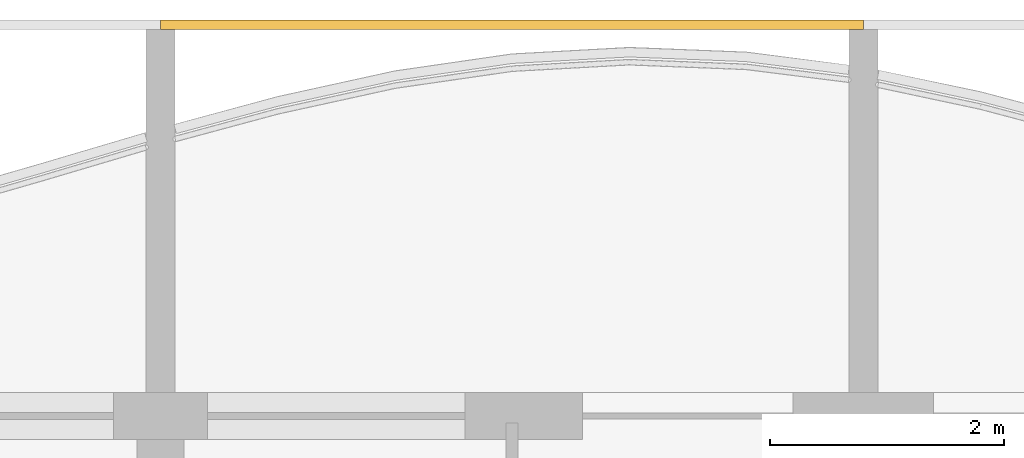
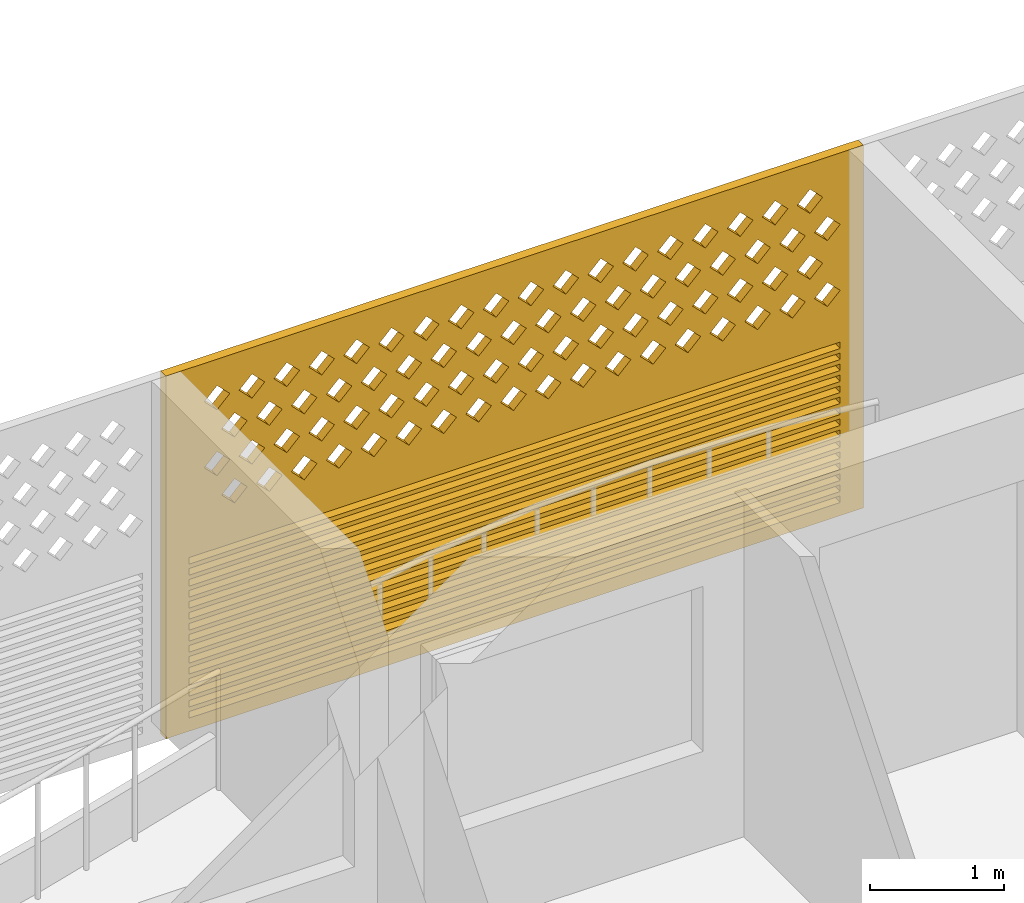
# One storey, part 29 of 44: 1 covering.
"""IFC4 building model written with IfcOpenShell, lengths in metres."""

from ifc_helpers import new_model, si_unit, direction, frame, origin, place, context, subcontext, project, spatial, polyline, outline, extrude, source, transform, mapped, material, material_profile, profile_set, type_object, element, save


model = new_model("IFC4")

# Units and contexts
model_context = context("Model", 3, precision=1e-05, world=origin(), true_north=direction((0.0, 1.0)))
body_context = subcontext(model_context, "Body", "Model", "MODEL_VIEW")
ifc_project = project(units=[si_unit("LENGTHUNIT", "METRE"), si_unit("AREAUNIT", "SQUARE_METRE"), si_unit("VOLUMEUNIT", "CUBIC_METRE"), si_unit("PLANEANGLEUNIT", "RADIAN"), si_unit("MASSUNIT", "GRAM", prefix="KILO")], contexts=[model_context])

# Site, building, storey
site_placement = place(None, origin())
site = spatial("IfcSite", under=ifc_project, at=site_placement, CompositionType="ELEMENT")
building_placement = place(site_placement, origin())
building = spatial("IfcBuilding", under=site, at=building_placement, Name="Poui Terraces", CompositionType="ELEMENT")
storey_placement = place(building_placement, frame((0.0, 0.0, 26.699951171875)))
storey = spatial("IfcBuildingStorey", under=building, at=storey_placement, Name="L06", CompositionType="ELEMENT", Elevation=26.699951171875)

# Covering
ifc_material = material(Name="Terracotta screen", Category="masonry")
ifc_material_profile = material_profile(ifc_material, outline(polyline([(-3.0, -1.64990234375), (3.0, -1.64990234375), (3.0, 1.64990234375), (-3.0, 1.64990234375), (-3.0, -1.64990234375)]), holes=[polyline([(-2.800048828125, 0.39990234375), (-2.68994140625, 0.2900390625), (-2.580078125, 0.39990234375), (-2.68994140625, 0.510009765625), (-2.800048828125, 0.39990234375)]), polyline([(-2.5, 0.39990234375), (-2.389892578125, 0.2900390625), (-2.280029296875, 0.39990234375), (-2.389892578125, 0.510009765625), (-2.5, 0.39990234375)]), polyline([(-2.199951171875, 0.39990234375), (-2.090087890625, 0.2900390625), (-1.97998046875, 0.39990234375), (-2.090087890625, 0.510009765625), (-2.199951171875, 0.39990234375)]), polyline([(-1.89990234375, 0.39990234375), (-1.7900390625, 0.2900390625), (-1.679931640625, 0.39990234375), (-1.7900390625, 0.510009765625), (-1.89990234375, 0.39990234375)]), polyline([(-1.60009765625, 0.39990234375), (-1.489990234375, 0.2900390625), (-1.3798828125, 0.39990234375), (-1.489990234375, 0.510009765625), (-1.60009765625, 0.39990234375)]), polyline([(-1.300048828125, 0.39990234375), (-1.18994140625, 0.2900390625), (-1.080078125, 0.39990234375), (-1.18994140625, 0.510009765625), (-1.300048828125, 0.39990234375)]), polyline([(-1.0, 0.39990234375), (-0.889892578125, 0.2900390625), (-0.780029296875, 0.39990234375), (-0.889892578125, 0.510009765625), (-1.0, 0.39990234375)]), polyline([(-0.699951171875, 0.39990234375), (-0.590087890625, 0.2900390625), (-0.47998046875, 0.39990234375), (-0.590087890625, 0.510009765625), (-0.699951171875, 0.39990234375)]), polyline([(-0.39990234375, 0.39990234375), (-0.2900390625, 0.2900390625), (-0.179931640625, 0.39990234375), (-0.2900390625, 0.510009765625), (-0.39990234375, 0.39990234375)]), polyline([(-0.10009765625, 0.39990234375), (0.010009765625, 0.2900390625), (0.1201171875, 0.39990234375), (0.010009765625, 0.510009765625), (-0.10009765625, 0.39990234375)]), polyline([(0.199951171875, 0.39990234375), (0.31005859375, 0.2900390625), (0.419921875, 0.39990234375), (0.31005859375, 0.510009765625), (0.199951171875, 0.39990234375)]), polyline([(0.5, 0.39990234375), (0.610107421875, 0.2900390625), (0.719970703125, 0.39990234375), (0.610107421875, 0.510009765625), (0.5, 0.39990234375)]), polyline([(0.800048828125, 0.39990234375), (0.909912109375, 0.2900390625), (1.02001953125, 0.39990234375), (0.909912109375, 0.510009765625), (0.800048828125, 0.39990234375)]), polyline([(1.10009765625, 0.39990234375), (1.2099609375, 0.2900390625), (1.320068359375, 0.39990234375), (1.2099609375, 0.510009765625), (1.10009765625, 0.39990234375)]), polyline([(1.39990234375, 0.39990234375), (1.510009765625, 0.2900390625), (1.6201171875, 0.39990234375), (1.510009765625, 0.510009765625), (1.39990234375, 0.39990234375)]), polyline([(1.699951171875, 0.39990234375), (1.81005859375, 0.2900390625), (1.919921875, 0.39990234375), (1.81005859375, 0.510009765625), (1.699951171875, 0.39990234375)]), polyline([(2.0, 0.39990234375), (2.110107421875, 0.2900390625), (2.219970703125, 0.39990234375), (2.110107421875, 0.510009765625), (2.0, 0.39990234375)]), polyline([(2.300048828125, 0.39990234375), (2.409912109375, 0.2900390625), (2.52001953125, 0.39990234375), (2.409912109375, 0.510009765625), (2.300048828125, 0.39990234375)]), polyline([(-2.64990234375, 0.699951171875), (-2.5400390625, 0.590087890625), (-2.429931640625, 0.699951171875), (-2.5400390625, 0.81005859375), (-2.64990234375, 0.699951171875)]), polyline([(-2.35009765625, 0.699951171875), (-2.239990234375, 0.590087890625), (-2.1298828125, 0.699951171875), (-2.239990234375, 0.81005859375), (-2.35009765625, 0.699951171875)]), polyline([(-2.050048828125, 0.699951171875), (-1.93994140625, 0.590087890625), (-1.830078125, 0.699951171875), (-1.93994140625, 0.81005859375), (-2.050048828125, 0.699951171875)]), polyline([(-1.75, 0.699951171875), (-1.639892578125, 0.590087890625), (-1.530029296875, 0.699951171875), (-1.639892578125, 0.81005859375), (-1.75, 0.699951171875)]), polyline([(-1.449951171875, 0.699951171875), (-1.340087890625, 0.590087890625), (-1.22998046875, 0.699951171875), (-1.340087890625, 0.81005859375), (-1.449951171875, 0.699951171875)]), polyline([(-1.14990234375, 0.699951171875), (-1.0400390625, 0.590087890625), (-0.929931640625, 0.699951171875), (-1.0400390625, 0.81005859375), (-1.14990234375, 0.699951171875)]), polyline([(-0.85009765625, 0.699951171875), (-0.739990234375, 0.590087890625), (-0.6298828125, 0.699951171875), (-0.739990234375, 0.81005859375), (-0.85009765625, 0.699951171875)]), polyline([(-0.550048828125, 0.699951171875), (-0.43994140625, 0.590087890625), (-0.330078125, 0.699951171875), (-0.43994140625, 0.81005859375), (-0.550048828125, 0.699951171875)]), polyline([(-0.25, 0.699951171875), (-0.139892578125, 0.590087890625), (-0.030029296875, 0.699951171875), (-0.139892578125, 0.81005859375), (-0.25, 0.699951171875)]), polyline([(0.050048828125, 0.699951171875), (0.159912109375, 0.590087890625), (0.27001953125, 0.699951171875), (0.159912109375, 0.81005859375), (0.050048828125, 0.699951171875)]), polyline([(0.35009765625, 0.699951171875), (0.4599609375, 0.590087890625), (0.570068359375, 0.699951171875), (0.4599609375, 0.81005859375), (0.35009765625, 0.699951171875)]), polyline([(0.64990234375, 0.699951171875), (0.760009765625, 0.590087890625), (0.8701171875, 0.699951171875), (0.760009765625, 0.81005859375), (0.64990234375, 0.699951171875)]), polyline([(0.949951171875, 0.699951171875), (1.06005859375, 0.590087890625), (1.169921875, 0.699951171875), (1.06005859375, 0.81005859375), (0.949951171875, 0.699951171875)]), polyline([(1.25, 0.699951171875), (1.360107421875, 0.590087890625), (1.469970703125, 0.699951171875), (1.360107421875, 0.81005859375), (1.25, 0.699951171875)]), polyline([(1.550048828125, 0.699951171875), (1.659912109375, 0.590087890625), (1.77001953125, 0.699951171875), (1.659912109375, 0.81005859375), (1.550048828125, 0.699951171875)]), polyline([(1.85009765625, 0.699951171875), (1.9599609375, 0.590087890625), (2.070068359375, 0.699951171875), (1.9599609375, 0.81005859375), (1.85009765625, 0.699951171875)]), polyline([(2.14990234375, 0.699951171875), (2.260009765625, 0.590087890625), (2.3701171875, 0.699951171875), (2.260009765625, 0.81005859375), (2.14990234375, 0.699951171875)]), polyline([(2.449951171875, 0.699951171875), (2.56005859375, 0.590087890625), (2.669921875, 0.699951171875), (2.56005859375, 0.81005859375), (2.449951171875, 0.699951171875)]), polyline([(-2.800048828125, 1.0), (-2.68994140625, 0.889892578125), (-2.580078125, 1.0), (-2.68994140625, 1.110107421875), (-2.800048828125, 1.0)]), polyline([(-2.5, 1.0), (-2.389892578125, 0.889892578125), (-2.280029296875, 1.0), (-2.389892578125, 1.110107421875), (-2.5, 1.0)]), polyline([(-2.199951171875, 1.0), (-2.090087890625, 0.889892578125), (-1.97998046875, 1.0), (-2.090087890625, 1.110107421875), (-2.199951171875, 1.0)]), polyline([(-1.89990234375, 1.0), (-1.7900390625, 0.889892578125), (-1.679931640625, 1.0), (-1.7900390625, 1.110107421875), (-1.89990234375, 1.0)]), polyline([(-1.60009765625, 1.0), (-1.489990234375, 0.889892578125), (-1.3798828125, 1.0), (-1.489990234375, 1.110107421875), (-1.60009765625, 1.0)]), polyline([(-1.300048828125, 1.0), (-1.18994140625, 0.889892578125), (-1.080078125, 1.0), (-1.18994140625, 1.110107421875), (-1.300048828125, 1.0)]), polyline([(-1.0, 1.0), (-0.889892578125, 0.889892578125), (-0.780029296875, 1.0), (-0.889892578125, 1.110107421875), (-1.0, 1.0)]), polyline([(-0.699951171875, 1.0), (-0.590087890625, 0.889892578125), (-0.47998046875, 1.0), (-0.590087890625, 1.110107421875), (-0.699951171875, 1.0)]), polyline([(-0.39990234375, 1.0), (-0.2900390625, 0.889892578125), (-0.179931640625, 1.0), (-0.2900390625, 1.110107421875), (-0.39990234375, 1.0)]), polyline([(-0.10009765625, 1.0), (0.010009765625, 0.889892578125), (0.1201171875, 1.0), (0.010009765625, 1.110107421875), (-0.10009765625, 1.0)]), polyline([(0.199951171875, 1.0), (0.31005859375, 0.889892578125), (0.419921875, 1.0), (0.31005859375, 1.110107421875), (0.199951171875, 1.0)]), polyline([(0.5, 1.0), (0.610107421875, 0.889892578125), (0.719970703125, 1.0), (0.610107421875, 1.110107421875), (0.5, 1.0)]), polyline([(0.800048828125, 1.0), (0.909912109375, 0.889892578125), (1.02001953125, 1.0), (0.909912109375, 1.110107421875), (0.800048828125, 1.0)]), polyline([(1.10009765625, 1.0), (1.2099609375, 0.889892578125), (1.320068359375, 1.0), (1.2099609375, 1.110107421875), (1.10009765625, 1.0)]), polyline([(1.39990234375, 1.0), (1.510009765625, 0.889892578125), (1.6201171875, 1.0), (1.510009765625, 1.110107421875), (1.39990234375, 1.0)]), polyline([(1.699951171875, 1.0), (1.81005859375, 0.889892578125), (1.919921875, 1.0), (1.81005859375, 1.110107421875), (1.699951171875, 1.0)]), polyline([(2.0, 1.0), (2.110107421875, 0.889892578125), (2.219970703125, 1.0), (2.110107421875, 1.110107421875), (2.0, 1.0)]), polyline([(2.300048828125, 1.0), (2.409912109375, 0.889892578125), (2.52001953125, 1.0), (2.409912109375, 1.110107421875), (2.300048828125, 1.0)]), polyline([(-2.64990234375, 1.300048828125), (-2.5400390625, 1.18994140625), (-2.429931640625, 1.300048828125), (-2.5400390625, 1.409912109375), (-2.64990234375, 1.300048828125)]), polyline([(-2.35009765625, 1.300048828125), (-2.239990234375, 1.18994140625), (-2.1298828125, 1.300048828125), (-2.239990234375, 1.409912109375), (-2.35009765625, 1.300048828125)]), polyline([(-2.050048828125, 1.300048828125), (-1.93994140625, 1.18994140625), (-1.830078125, 1.300048828125), (-1.93994140625, 1.409912109375), (-2.050048828125, 1.300048828125)]), polyline([(-1.75, 1.300048828125), (-1.639892578125, 1.18994140625), (-1.530029296875, 1.300048828125), (-1.639892578125, 1.409912109375), (-1.75, 1.300048828125)]), polyline([(-1.449951171875, 1.300048828125), (-1.340087890625, 1.18994140625), (-1.22998046875, 1.300048828125), (-1.340087890625, 1.409912109375), (-1.449951171875, 1.300048828125)]), polyline([(-1.14990234375, 1.300048828125), (-1.0400390625, 1.18994140625), (-0.929931640625, 1.300048828125), (-1.0400390625, 1.409912109375), (-1.14990234375, 1.300048828125)]), polyline([(-0.85009765625, 1.300048828125), (-0.739990234375, 1.18994140625), (-0.6298828125, 1.300048828125), (-0.739990234375, 1.409912109375), (-0.85009765625, 1.300048828125)]), polyline([(-0.550048828125, 1.300048828125), (-0.43994140625, 1.18994140625), (-0.330078125, 1.300048828125), (-0.43994140625, 1.409912109375), (-0.550048828125, 1.300048828125)]), polyline([(-0.25, 1.300048828125), (-0.139892578125, 1.18994140625), (-0.030029296875, 1.300048828125), (-0.139892578125, 1.409912109375), (-0.25, 1.300048828125)]), polyline([(0.050048828125, 1.300048828125), (0.159912109375, 1.18994140625), (0.27001953125, 1.300048828125), (0.159912109375, 1.409912109375), (0.050048828125, 1.300048828125)]), polyline([(0.35009765625, 1.300048828125), (0.4599609375, 1.18994140625), (0.570068359375, 1.300048828125), (0.4599609375, 1.409912109375), (0.35009765625, 1.300048828125)]), polyline([(0.64990234375, 1.300048828125), (0.760009765625, 1.18994140625), (0.8701171875, 1.300048828125), (0.760009765625, 1.409912109375), (0.64990234375, 1.300048828125)]), polyline([(0.949951171875, 1.300048828125), (1.06005859375, 1.18994140625), (1.169921875, 1.300048828125), (1.06005859375, 1.409912109375), (0.949951171875, 1.300048828125)]), polyline([(1.25, 1.300048828125), (1.360107421875, 1.18994140625), (1.469970703125, 1.300048828125), (1.360107421875, 1.409912109375), (1.25, 1.300048828125)]), polyline([(1.550048828125, 1.300048828125), (1.659912109375, 1.18994140625), (1.77001953125, 1.300048828125), (1.659912109375, 1.409912109375), (1.550048828125, 1.300048828125)]), polyline([(1.85009765625, 1.300048828125), (1.9599609375, 1.18994140625), (2.070068359375, 1.300048828125), (1.9599609375, 1.409912109375), (1.85009765625, 1.300048828125)]), polyline([(2.14990234375, 1.300048828125), (2.260009765625, 1.18994140625), (2.3701171875, 1.300048828125), (2.260009765625, 1.409912109375), (2.14990234375, 1.300048828125)]), polyline([(2.449951171875, 1.300048828125), (2.56005859375, 1.18994140625), (2.669921875, 1.300048828125), (2.56005859375, 1.409912109375), (2.449951171875, 1.300048828125)]), polyline([(-2.800048828125, -1.530029296875), (2.800048828125, -1.530029296875), (2.800048828125, -1.469970703125), (-2.800048828125, -1.469970703125), (-2.800048828125, -1.530029296875)]), polyline([(-2.800048828125, -1.429931640625), (2.800048828125, -1.429931640625), (2.800048828125, -1.3701171875), (-2.800048828125, -1.3701171875), (-2.800048828125, -1.429931640625)]), polyline([(-2.800048828125, -1.330078125), (2.800048828125, -1.330078125), (2.800048828125, -1.27001953125), (-2.800048828125, -1.27001953125), (-2.800048828125, -1.330078125)]), polyline([(-2.800048828125, -1.22998046875), (2.800048828125, -1.22998046875), (2.800048828125, -1.169921875), (-2.800048828125, -1.169921875), (-2.800048828125, -1.22998046875)]), polyline([(-2.800048828125, -1.1298828125), (2.800048828125, -1.1298828125), (2.800048828125, -1.070068359375), (-2.800048828125, -1.070068359375), (-2.800048828125, -1.1298828125)]), polyline([(-2.800048828125, -1.030029296875), (2.800048828125, -1.030029296875), (2.800048828125, -0.969970703125), (-2.800048828125, -0.969970703125), (-2.800048828125, -1.030029296875)]), polyline([(-2.800048828125, -0.929931640625), (2.800048828125, -0.929931640625), (2.800048828125, -0.8701171875), (-2.800048828125, -0.8701171875), (-2.800048828125, -0.929931640625)]), polyline([(-2.800048828125, -0.830078125), (2.800048828125, -0.830078125), (2.800048828125, -0.77001953125), (-2.800048828125, -0.77001953125), (-2.800048828125, -0.830078125)]), polyline([(-2.800048828125, -0.72998046875), (2.800048828125, -0.72998046875), (2.800048828125, -0.669921875), (-2.800048828125, -0.669921875), (-2.800048828125, -0.72998046875)]), polyline([(-2.800048828125, -0.6298828125), (2.800048828125, -0.6298828125), (2.800048828125, -0.570068359375), (-2.800048828125, -0.570068359375), (-2.800048828125, -0.6298828125)]), polyline([(-2.800048828125, -0.530029296875), (2.800048828125, -0.530029296875), (2.800048828125, -0.469970703125), (-2.800048828125, -0.469970703125), (-2.800048828125, -0.530029296875)]), polyline([(-2.800048828125, -0.429931640625), (2.800048828125, -0.429931640625), (2.800048828125, -0.3701171875), (-2.800048828125, -0.3701171875), (-2.800048828125, -0.429931640625)]), polyline([(-2.800048828125, -0.330078125), (2.800048828125, -0.330078125), (2.800048828125, -0.27001953125), (-2.800048828125, -0.27001953125), (-2.800048828125, -0.330078125)]), polyline([(-2.800048828125, -0.22998046875), (2.800048828125, -0.22998046875), (2.800048828125, -0.169921875), (-2.800048828125, -0.169921875), (-2.800048828125, -0.22998046875)]), polyline([(-2.800048828125, -0.1298828125), (2.800048828125, -0.1298828125), (2.800048828125, -0.070068359375), (-2.800048828125, -0.070068359375), (-2.800048828125, -0.1298828125)])]), Name="TERRACOTTA SCREEN AND JALOUSIE LOUVRE 6000X3300")
ifc_profile_set = profile_set([ifc_material_profile], Name="Terracotta screen")
covering_type = type_object("IfcCoveringType", Name="TERRACOTTA SCREEN AND JALOUSIE LOUVRE 6000X3300", PredefinedType="CLADDING", material=ifc_profile_set)
shared_shape = source(origin(), body_context, "Body", "SweptSolid", [
    extrude(outline(polyline([(-3.0, -1.64990234375), (3.0, -1.64990234375), (3.0, 1.64990234375), (-3.0, 1.64990234375), (-3.0, -1.64990234375)]), holes=[polyline([(-2.800048828125, 0.39990234375), (-2.68994140625, 0.2900390625), (-2.580078125, 0.39990234375), (-2.68994140625, 0.510009765625), (-2.800048828125, 0.39990234375)]), polyline([(-2.5, 0.39990234375), (-2.389892578125, 0.2900390625), (-2.280029296875, 0.39990234375), (-2.389892578125, 0.510009765625), (-2.5, 0.39990234375)]), polyline([(-2.199951171875, 0.39990234375), (-2.090087890625, 0.2900390625), (-1.97998046875, 0.39990234375), (-2.090087890625, 0.510009765625), (-2.199951171875, 0.39990234375)]), polyline([(-1.89990234375, 0.39990234375), (-1.7900390625, 0.2900390625), (-1.679931640625, 0.39990234375), (-1.7900390625, 0.510009765625), (-1.89990234375, 0.39990234375)]), polyline([(-1.60009765625, 0.39990234375), (-1.489990234375, 0.2900390625), (-1.3798828125, 0.39990234375), (-1.489990234375, 0.510009765625), (-1.60009765625, 0.39990234375)]), polyline([(-1.300048828125, 0.39990234375), (-1.18994140625, 0.2900390625), (-1.080078125, 0.39990234375), (-1.18994140625, 0.510009765625), (-1.300048828125, 0.39990234375)]), polyline([(-1.0, 0.39990234375), (-0.889892578125, 0.2900390625), (-0.780029296875, 0.39990234375), (-0.889892578125, 0.510009765625), (-1.0, 0.39990234375)]), polyline([(-0.699951171875, 0.39990234375), (-0.590087890625, 0.2900390625), (-0.47998046875, 0.39990234375), (-0.590087890625, 0.510009765625), (-0.699951171875, 0.39990234375)]), polyline([(-0.39990234375, 0.39990234375), (-0.2900390625, 0.2900390625), (-0.179931640625, 0.39990234375), (-0.2900390625, 0.510009765625), (-0.39990234375, 0.39990234375)]), polyline([(-0.10009765625, 0.39990234375), (0.010009765625, 0.2900390625), (0.1201171875, 0.39990234375), (0.010009765625, 0.510009765625), (-0.10009765625, 0.39990234375)]), polyline([(0.199951171875, 0.39990234375), (0.31005859375, 0.2900390625), (0.419921875, 0.39990234375), (0.31005859375, 0.510009765625), (0.199951171875, 0.39990234375)]), polyline([(0.5, 0.39990234375), (0.610107421875, 0.2900390625), (0.719970703125, 0.39990234375), (0.610107421875, 0.510009765625), (0.5, 0.39990234375)]), polyline([(0.800048828125, 0.39990234375), (0.909912109375, 0.2900390625), (1.02001953125, 0.39990234375), (0.909912109375, 0.510009765625), (0.800048828125, 0.39990234375)]), polyline([(1.10009765625, 0.39990234375), (1.2099609375, 0.2900390625), (1.320068359375, 0.39990234375), (1.2099609375, 0.510009765625), (1.10009765625, 0.39990234375)]), polyline([(1.39990234375, 0.39990234375), (1.510009765625, 0.2900390625), (1.6201171875, 0.39990234375), (1.510009765625, 0.510009765625), (1.39990234375, 0.39990234375)]), polyline([(1.699951171875, 0.39990234375), (1.81005859375, 0.2900390625), (1.919921875, 0.39990234375), (1.81005859375, 0.510009765625), (1.699951171875, 0.39990234375)]), polyline([(2.0, 0.39990234375), (2.110107421875, 0.2900390625), (2.219970703125, 0.39990234375), (2.110107421875, 0.510009765625), (2.0, 0.39990234375)]), polyline([(2.300048828125, 0.39990234375), (2.409912109375, 0.2900390625), (2.52001953125, 0.39990234375), (2.409912109375, 0.510009765625), (2.300048828125, 0.39990234375)]), polyline([(-2.64990234375, 0.699951171875), (-2.5400390625, 0.590087890625), (-2.429931640625, 0.699951171875), (-2.5400390625, 0.81005859375), (-2.64990234375, 0.699951171875)]), polyline([(-2.35009765625, 0.699951171875), (-2.239990234375, 0.590087890625), (-2.1298828125, 0.699951171875), (-2.239990234375, 0.81005859375), (-2.35009765625, 0.699951171875)]), polyline([(-2.050048828125, 0.699951171875), (-1.93994140625, 0.590087890625), (-1.830078125, 0.699951171875), (-1.93994140625, 0.81005859375), (-2.050048828125, 0.699951171875)]), polyline([(-1.75, 0.699951171875), (-1.639892578125, 0.590087890625), (-1.530029296875, 0.699951171875), (-1.639892578125, 0.81005859375), (-1.75, 0.699951171875)]), polyline([(-1.449951171875, 0.699951171875), (-1.340087890625, 0.590087890625), (-1.22998046875, 0.699951171875), (-1.340087890625, 0.81005859375), (-1.449951171875, 0.699951171875)]), polyline([(-1.14990234375, 0.699951171875), (-1.0400390625, 0.590087890625), (-0.929931640625, 0.699951171875), (-1.0400390625, 0.81005859375), (-1.14990234375, 0.699951171875)]), polyline([(-0.85009765625, 0.699951171875), (-0.739990234375, 0.590087890625), (-0.6298828125, 0.699951171875), (-0.739990234375, 0.81005859375), (-0.85009765625, 0.699951171875)]), polyline([(-0.550048828125, 0.699951171875), (-0.43994140625, 0.590087890625), (-0.330078125, 0.699951171875), (-0.43994140625, 0.81005859375), (-0.550048828125, 0.699951171875)]), polyline([(-0.25, 0.699951171875), (-0.139892578125, 0.590087890625), (-0.030029296875, 0.699951171875), (-0.139892578125, 0.81005859375), (-0.25, 0.699951171875)]), polyline([(0.050048828125, 0.699951171875), (0.159912109375, 0.590087890625), (0.27001953125, 0.699951171875), (0.159912109375, 0.81005859375), (0.050048828125, 0.699951171875)]), polyline([(0.35009765625, 0.699951171875), (0.4599609375, 0.590087890625), (0.570068359375, 0.699951171875), (0.4599609375, 0.81005859375), (0.35009765625, 0.699951171875)]), polyline([(0.64990234375, 0.699951171875), (0.760009765625, 0.590087890625), (0.8701171875, 0.699951171875), (0.760009765625, 0.81005859375), (0.64990234375, 0.699951171875)]), polyline([(0.949951171875, 0.699951171875), (1.06005859375, 0.590087890625), (1.169921875, 0.699951171875), (1.06005859375, 0.81005859375), (0.949951171875, 0.699951171875)]), polyline([(1.25, 0.699951171875), (1.360107421875, 0.590087890625), (1.469970703125, 0.699951171875), (1.360107421875, 0.81005859375), (1.25, 0.699951171875)]), polyline([(1.550048828125, 0.699951171875), (1.659912109375, 0.590087890625), (1.77001953125, 0.699951171875), (1.659912109375, 0.81005859375), (1.550048828125, 0.699951171875)]), polyline([(1.85009765625, 0.699951171875), (1.9599609375, 0.590087890625), (2.070068359375, 0.699951171875), (1.9599609375, 0.81005859375), (1.85009765625, 0.699951171875)]), polyline([(2.14990234375, 0.699951171875), (2.260009765625, 0.590087890625), (2.3701171875, 0.699951171875), (2.260009765625, 0.81005859375), (2.14990234375, 0.699951171875)]), polyline([(2.449951171875, 0.699951171875), (2.56005859375, 0.590087890625), (2.669921875, 0.699951171875), (2.56005859375, 0.81005859375), (2.449951171875, 0.699951171875)]), polyline([(-2.800048828125, 1.0), (-2.68994140625, 0.889892578125), (-2.580078125, 1.0), (-2.68994140625, 1.110107421875), (-2.800048828125, 1.0)]), polyline([(-2.5, 1.0), (-2.389892578125, 0.889892578125), (-2.280029296875, 1.0), (-2.389892578125, 1.110107421875), (-2.5, 1.0)]), polyline([(-2.199951171875, 1.0), (-2.090087890625, 0.889892578125), (-1.97998046875, 1.0), (-2.090087890625, 1.110107421875), (-2.199951171875, 1.0)]), polyline([(-1.89990234375, 1.0), (-1.7900390625, 0.889892578125), (-1.679931640625, 1.0), (-1.7900390625, 1.110107421875), (-1.89990234375, 1.0)]), polyline([(-1.60009765625, 1.0), (-1.489990234375, 0.889892578125), (-1.3798828125, 1.0), (-1.489990234375, 1.110107421875), (-1.60009765625, 1.0)]), polyline([(-1.300048828125, 1.0), (-1.18994140625, 0.889892578125), (-1.080078125, 1.0), (-1.18994140625, 1.110107421875), (-1.300048828125, 1.0)]), polyline([(-1.0, 1.0), (-0.889892578125, 0.889892578125), (-0.780029296875, 1.0), (-0.889892578125, 1.110107421875), (-1.0, 1.0)]), polyline([(-0.699951171875, 1.0), (-0.590087890625, 0.889892578125), (-0.47998046875, 1.0), (-0.590087890625, 1.110107421875), (-0.699951171875, 1.0)]), polyline([(-0.39990234375, 1.0), (-0.2900390625, 0.889892578125), (-0.179931640625, 1.0), (-0.2900390625, 1.110107421875), (-0.39990234375, 1.0)]), polyline([(-0.10009765625, 1.0), (0.010009765625, 0.889892578125), (0.1201171875, 1.0), (0.010009765625, 1.110107421875), (-0.10009765625, 1.0)]), polyline([(0.199951171875, 1.0), (0.31005859375, 0.889892578125), (0.419921875, 1.0), (0.31005859375, 1.110107421875), (0.199951171875, 1.0)]), polyline([(0.5, 1.0), (0.610107421875, 0.889892578125), (0.719970703125, 1.0), (0.610107421875, 1.110107421875), (0.5, 1.0)]), polyline([(0.800048828125, 1.0), (0.909912109375, 0.889892578125), (1.02001953125, 1.0), (0.909912109375, 1.110107421875), (0.800048828125, 1.0)]), polyline([(1.10009765625, 1.0), (1.2099609375, 0.889892578125), (1.320068359375, 1.0), (1.2099609375, 1.110107421875), (1.10009765625, 1.0)]), polyline([(1.39990234375, 1.0), (1.510009765625, 0.889892578125), (1.6201171875, 1.0), (1.510009765625, 1.110107421875), (1.39990234375, 1.0)]), polyline([(1.699951171875, 1.0), (1.81005859375, 0.889892578125), (1.919921875, 1.0), (1.81005859375, 1.110107421875), (1.699951171875, 1.0)]), polyline([(2.0, 1.0), (2.110107421875, 0.889892578125), (2.219970703125, 1.0), (2.110107421875, 1.110107421875), (2.0, 1.0)]), polyline([(2.300048828125, 1.0), (2.409912109375, 0.889892578125), (2.52001953125, 1.0), (2.409912109375, 1.110107421875), (2.300048828125, 1.0)]), polyline([(-2.64990234375, 1.300048828125), (-2.5400390625, 1.18994140625), (-2.429931640625, 1.300048828125), (-2.5400390625, 1.409912109375), (-2.64990234375, 1.300048828125)]), polyline([(-2.35009765625, 1.300048828125), (-2.239990234375, 1.18994140625), (-2.1298828125, 1.300048828125), (-2.239990234375, 1.409912109375), (-2.35009765625, 1.300048828125)]), polyline([(-2.050048828125, 1.300048828125), (-1.93994140625, 1.18994140625), (-1.830078125, 1.300048828125), (-1.93994140625, 1.409912109375), (-2.050048828125, 1.300048828125)]), polyline([(-1.75, 1.300048828125), (-1.639892578125, 1.18994140625), (-1.530029296875, 1.300048828125), (-1.639892578125, 1.409912109375), (-1.75, 1.300048828125)]), polyline([(-1.449951171875, 1.300048828125), (-1.340087890625, 1.18994140625), (-1.22998046875, 1.300048828125), (-1.340087890625, 1.409912109375), (-1.449951171875, 1.300048828125)]), polyline([(-1.14990234375, 1.300048828125), (-1.0400390625, 1.18994140625), (-0.929931640625, 1.300048828125), (-1.0400390625, 1.409912109375), (-1.14990234375, 1.300048828125)]), polyline([(-0.85009765625, 1.300048828125), (-0.739990234375, 1.18994140625), (-0.6298828125, 1.300048828125), (-0.739990234375, 1.409912109375), (-0.85009765625, 1.300048828125)]), polyline([(-0.550048828125, 1.300048828125), (-0.43994140625, 1.18994140625), (-0.330078125, 1.300048828125), (-0.43994140625, 1.409912109375), (-0.550048828125, 1.300048828125)]), polyline([(-0.25, 1.300048828125), (-0.139892578125, 1.18994140625), (-0.030029296875, 1.300048828125), (-0.139892578125, 1.409912109375), (-0.25, 1.300048828125)]), polyline([(0.050048828125, 1.300048828125), (0.159912109375, 1.18994140625), (0.27001953125, 1.300048828125), (0.159912109375, 1.409912109375), (0.050048828125, 1.300048828125)]), polyline([(0.35009765625, 1.300048828125), (0.4599609375, 1.18994140625), (0.570068359375, 1.300048828125), (0.4599609375, 1.409912109375), (0.35009765625, 1.300048828125)]), polyline([(0.64990234375, 1.300048828125), (0.760009765625, 1.18994140625), (0.8701171875, 1.300048828125), (0.760009765625, 1.409912109375), (0.64990234375, 1.300048828125)]), polyline([(0.949951171875, 1.300048828125), (1.06005859375, 1.18994140625), (1.169921875, 1.300048828125), (1.06005859375, 1.409912109375), (0.949951171875, 1.300048828125)]), polyline([(1.25, 1.300048828125), (1.360107421875, 1.18994140625), (1.469970703125, 1.300048828125), (1.360107421875, 1.409912109375), (1.25, 1.300048828125)]), polyline([(1.550048828125, 1.300048828125), (1.659912109375, 1.18994140625), (1.77001953125, 1.300048828125), (1.659912109375, 1.409912109375), (1.550048828125, 1.300048828125)]), polyline([(1.85009765625, 1.300048828125), (1.9599609375, 1.18994140625), (2.070068359375, 1.300048828125), (1.9599609375, 1.409912109375), (1.85009765625, 1.300048828125)]), polyline([(2.14990234375, 1.300048828125), (2.260009765625, 1.18994140625), (2.3701171875, 1.300048828125), (2.260009765625, 1.409912109375), (2.14990234375, 1.300048828125)]), polyline([(2.449951171875, 1.300048828125), (2.56005859375, 1.18994140625), (2.669921875, 1.300048828125), (2.56005859375, 1.409912109375), (2.449951171875, 1.300048828125)]), polyline([(-2.800048828125, -1.530029296875), (2.800048828125, -1.530029296875), (2.800048828125, -1.469970703125), (-2.800048828125, -1.469970703125), (-2.800048828125, -1.530029296875)]), polyline([(-2.800048828125, -1.429931640625), (2.800048828125, -1.429931640625), (2.800048828125, -1.3701171875), (-2.800048828125, -1.3701171875), (-2.800048828125, -1.429931640625)]), polyline([(-2.800048828125, -1.330078125), (2.800048828125, -1.330078125), (2.800048828125, -1.27001953125), (-2.800048828125, -1.27001953125), (-2.800048828125, -1.330078125)]), polyline([(-2.800048828125, -1.22998046875), (2.800048828125, -1.22998046875), (2.800048828125, -1.169921875), (-2.800048828125, -1.169921875), (-2.800048828125, -1.22998046875)]), polyline([(-2.800048828125, -1.1298828125), (2.800048828125, -1.1298828125), (2.800048828125, -1.070068359375), (-2.800048828125, -1.070068359375), (-2.800048828125, -1.1298828125)]), polyline([(-2.800048828125, -1.030029296875), (2.800048828125, -1.030029296875), (2.800048828125, -0.969970703125), (-2.800048828125, -0.969970703125), (-2.800048828125, -1.030029296875)]), polyline([(-2.800048828125, -0.929931640625), (2.800048828125, -0.929931640625), (2.800048828125, -0.8701171875), (-2.800048828125, -0.8701171875), (-2.800048828125, -0.929931640625)]), polyline([(-2.800048828125, -0.830078125), (2.800048828125, -0.830078125), (2.800048828125, -0.77001953125), (-2.800048828125, -0.77001953125), (-2.800048828125, -0.830078125)]), polyline([(-2.800048828125, -0.72998046875), (2.800048828125, -0.72998046875), (2.800048828125, -0.669921875), (-2.800048828125, -0.669921875), (-2.800048828125, -0.72998046875)]), polyline([(-2.800048828125, -0.6298828125), (2.800048828125, -0.6298828125), (2.800048828125, -0.570068359375), (-2.800048828125, -0.570068359375), (-2.800048828125, -0.6298828125)]), polyline([(-2.800048828125, -0.530029296875), (2.800048828125, -0.530029296875), (2.800048828125, -0.469970703125), (-2.800048828125, -0.469970703125), (-2.800048828125, -0.530029296875)]), polyline([(-2.800048828125, -0.429931640625), (2.800048828125, -0.429931640625), (2.800048828125, -0.3701171875), (-2.800048828125, -0.3701171875), (-2.800048828125, -0.429931640625)]), polyline([(-2.800048828125, -0.330078125), (2.800048828125, -0.330078125), (2.800048828125, -0.27001953125), (-2.800048828125, -0.27001953125), (-2.800048828125, -0.330078125)]), polyline([(-2.800048828125, -0.22998046875), (2.800048828125, -0.22998046875), (2.800048828125, -0.169921875), (-2.800048828125, -0.169921875), (-2.800048828125, -0.22998046875)]), polyline([(-2.800048828125, -0.1298828125), (2.800048828125, -0.1298828125), (2.800048828125, -0.070068359375), (-2.800048828125, -0.070068359375), (-2.800048828125, -0.1298828125)])]), origin(), (0.0, 0.0, 1.0), 0.079833984375),
])
covering_placement = place(storey_placement, frame((39.0, 48.10009765625, 1.449951171875), z_axis=(0.0, 1.0, 0.0), x_axis=(-1.0, 0.0, 0.0)))
element("IfcCovering", 1, at=covering_placement, inside=storey, type_object=covering_type, Name="SOLAR SCREEN AND JALOUSIE LOUVRE", PredefinedType="CLADDING", context=body_context, shape_type="MappedRepresentation", body=[
    mapped(shared_shape, transform((0.0, 0.0, 0.0))),
])

save(model, "model.ifc")
